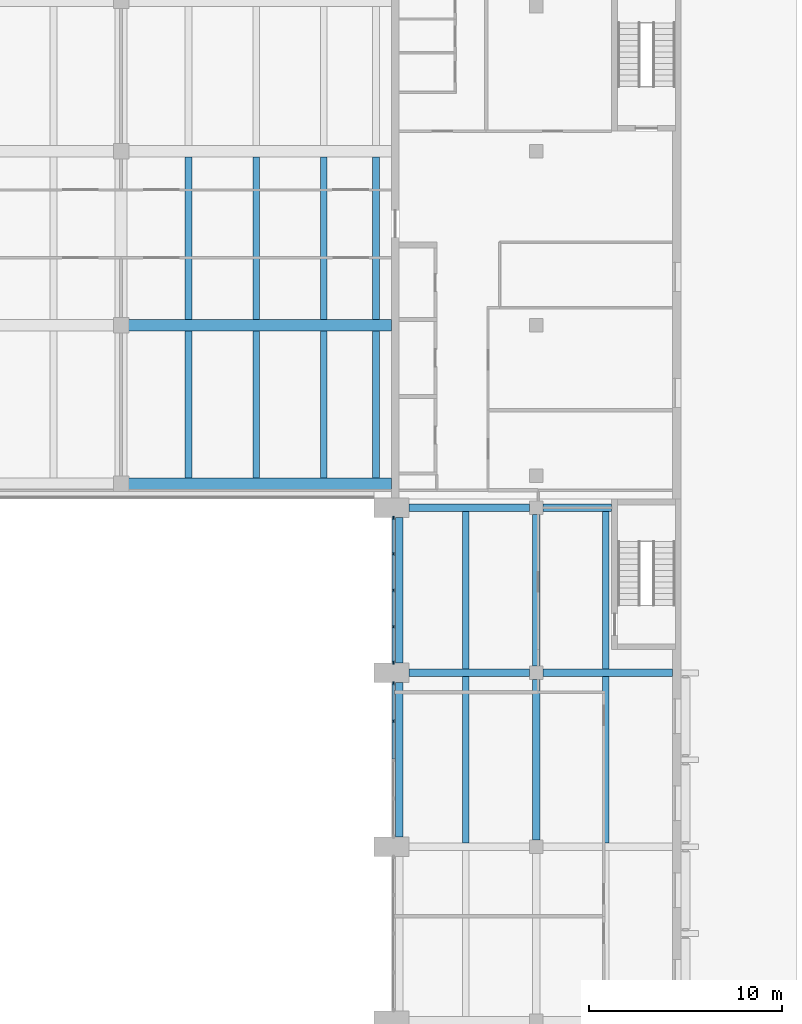
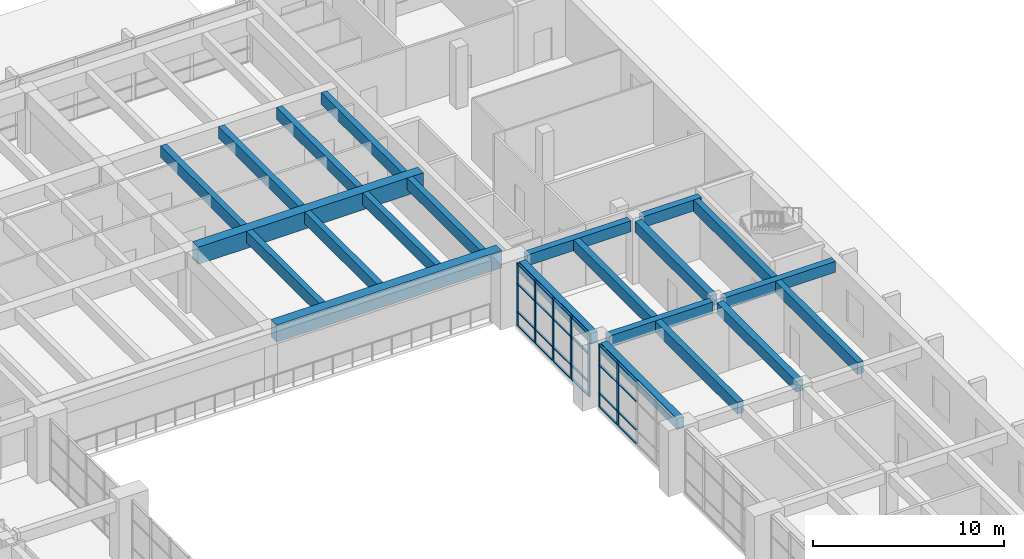
# One storey, part 13 of 45: 31 members, 22 beams, 2 elements without a shape of their own.
"""IFC4 building model written with IfcOpenShell, lengths in metres."""

from ifc_helpers import new_model, si_unit, direction, frame, origin, origin_2d, place, context, subcontext, project, spatial, rectangle, extrude, material, material_profile, profile_set, type_object, element, aggregate, save


model = new_model("IFC4")

# Units and contexts
model_context = context("Model", 3, precision=1e-05, world=origin(), true_north=direction((0.0, 1.0)))
body_context = subcontext(model_context, "Body", "Model", "MODEL_VIEW")
ifc_project = project(units=[si_unit("LENGTHUNIT", "METRE"), si_unit("AREAUNIT", "SQUARE_METRE"), si_unit("VOLUMEUNIT", "CUBIC_METRE"), si_unit("PLANEANGLEUNIT", "RADIAN"), si_unit("MASSUNIT", "GRAM", prefix="KILO")], contexts=[model_context])

# Site, building, storey
site_placement = place(None, origin())
site = spatial("IfcSite", under=ifc_project, at=site_placement, CompositionType="ELEMENT")
building_placement = place(site_placement, origin())
building = spatial("IfcBuilding", under=site, at=building_placement, Name="Elmora Arch Market Hall", CompositionType="ELEMENT")
storey_placement = place(building_placement, frame((0.0, 0.0, 6.0)))
storey = spatial("IfcBuildingStorey", under=building, at=storey_placement, Name="L01", CompositionType="ELEMENT", Elevation=6.0)

# Beams
ifc_material_1 = material(Name="Concrete C32/40", Category="concrete")
ifc_material_profile_1 = material_profile(ifc_material_1, rectangle(XDim=0.60009765625, YDim=1.10009765625, at=origin_2d()), Name="Bridge girder 600x1100")
ifc_profile_set_1 = profile_set([ifc_material_profile_1], Name="Concrete C32/40")
beam_type_1 = type_object("IfcBeamType", Name="Bridge girder 600x1100", PredefinedType="BEAM", material=ifc_profile_set_1)
for number, where, z_axis, x_axis, name in (
    (1, (29.39990234375, 99.800048828125, 3.35009765625), (1.0, 0.0, 0.0), (0.0, 1.0, 0.0), "Bridge girder NR1 L01.2"),
    (2, (29.39990234375, 108.0, 3.35009765625), (1.0, 0.0, 0.0), (0.0, 1.0, 0.0), "Bridge girder NR2 L01.2"),
):
    element("IfcBeam", number, at=place(storey_placement, frame(where, z_axis=z_axis, x_axis=x_axis)), inside=storey, type_object=beam_type_1, Name=name, PredefinedType="BEAM", context=body_context, shape_type="SweptSolid", body=[
        extrude(rectangle(XDim=0.60009765625, YDim=1.10009765625, at=origin_2d()), origin(), (0.0, 0.0, 1.0), 13.60009765625),
    ])
ifc_material_2 = material(Name="Concrete C32/40", Category="concrete")
ifc_material_profile_2 = material_profile(ifc_material_2, rectangle(XDim=0.35009765625, YDim=0.75, at=origin_2d()), Name="Bridge joist 350x750")
ifc_profile_set_2 = profile_set([ifc_material_profile_2], Name="Concrete C32/40")
beam_type_2 = type_object("IfcBeamType", Name="Bridge joist 350x750", PredefinedType="JOIST", material=ifc_profile_set_2)
beam_1_placement = place(storey_placement, frame((32.5, 100.10009765625, 3.52490234375), z_axis=(0.0, 1.0, 0.0), x_axis=(-1.0, 0.0, 0.0)))
element("IfcBeam", 3, at=beam_1_placement, inside=storey, type_object=beam_type_2, Name="Bridge joist NJ5 L01.1", PredefinedType="JOIST", context=body_context, shape_type="SweptSolid", body=[
    extrude(rectangle(XDim=0.35009765625, YDim=0.75, at=origin_2d()), origin(), (0.0, 0.0, 1.0), 7.599853515625),
])
beam_2_placement = place(storey_placement, frame((32.5, 108.300048828125, 3.52490234375), z_axis=(0.0, 1.0, 0.0), x_axis=(-1.0, 0.0, 0.0)))
element("IfcBeam", 4, at=beam_2_placement, inside=storey, type_object=beam_type_2, Name="Bridge joist NJ5 L01.2", PredefinedType="JOIST", context=body_context, shape_type="SweptSolid", body=[
    extrude(rectangle(XDim=0.35009765625, YDim=0.75, at=origin_2d()), origin(), (0.0, 0.0, 1.0), 8.39990234375),
])
beam_3_placement = place(storey_placement, frame((36.0, 100.10009765625, 3.52490234375), z_axis=(0.0, 1.0, 0.0), x_axis=(-1.0, 0.0, 0.0)))
element("IfcBeam", 5, at=beam_3_placement, inside=storey, type_object=beam_type_2, Name="Bridge joist NJ6 L01.1", PredefinedType="JOIST", context=body_context, shape_type="SweptSolid", body=[
    extrude(rectangle(XDim=0.35009765625, YDim=0.75, at=origin_2d()), origin(), (0.0, 0.0, 1.0), 7.599853515625),
])
beam_4_placement = place(storey_placement, frame((36.0, 108.300048828125, 3.52490234375), z_axis=(0.0, 1.0, 0.0), x_axis=(-1.0, 0.0, 0.0)))
element("IfcBeam", 6, at=beam_4_placement, inside=storey, type_object=beam_type_2, Name="Bridge joist NJ6 L01.2", PredefinedType="JOIST", context=body_context, shape_type="SweptSolid", body=[
    extrude(rectangle(XDim=0.35009765625, YDim=0.75, at=origin_2d()), origin(), (0.0, 0.0, 1.0), 8.39990234375),
])
beam_5_placement = place(storey_placement, frame((39.5, 100.10009765625, 3.52490234375), z_axis=(0.0, 1.0, 0.0), x_axis=(-1.0, 0.0, 0.0)))
element("IfcBeam", 7, at=beam_5_placement, inside=storey, type_object=beam_type_2, Name="Bridge joist NJ7 L01.1", PredefinedType="JOIST", context=body_context, shape_type="SweptSolid", body=[
    extrude(rectangle(XDim=0.35009765625, YDim=0.75, at=origin_2d()), origin(), (0.0, 0.0, 1.0), 7.599853515625),
])
beam_6_placement = place(storey_placement, frame((39.5, 108.300048828125, 3.52490234375), z_axis=(0.0, 1.0, 0.0), x_axis=(-1.0, 0.0, 0.0)))
element("IfcBeam", 8, at=beam_6_placement, inside=storey, type_object=beam_type_2, Name="Bridge joist NJ7 L01.2", PredefinedType="JOIST", context=body_context, shape_type="SweptSolid", body=[
    extrude(rectangle(XDim=0.35009765625, YDim=0.75, at=origin_2d()), origin(), (0.0, 0.0, 1.0), 8.39990234375),
])
beam_7_placement = place(storey_placement, frame((42.199951171875, 100.10009765625, 3.52490234375), z_axis=(0.0, 1.0, 0.0), x_axis=(-1.0, 0.0, 0.0)))
element("IfcBeam", 9, at=beam_7_placement, inside=storey, type_object=beam_type_2, Name="Bridge joist NJ8 L01.1", PredefinedType="JOIST", context=body_context, shape_type="SweptSolid", body=[
    extrude(rectangle(XDim=0.35009765625, YDim=0.75, at=origin_2d()), origin(), (0.0, 0.0, 1.0), 7.599853515625),
])
beam_8_placement = place(storey_placement, frame((42.199951171875, 108.300048828125, 3.52490234375), z_axis=(0.0, 1.0, 0.0), x_axis=(-1.0, 0.0, 0.0)))
element("IfcBeam", 10, at=beam_8_placement, inside=storey, type_object=beam_type_2, Name="Bridge joist NJ8 L01.2", PredefinedType="JOIST", context=body_context, shape_type="SweptSolid", body=[
    extrude(rectangle(XDim=0.35009765625, YDim=0.75, at=origin_2d()), origin(), (0.0, 0.0, 1.0), 8.39990234375),
])

# Curtain wall, members
ifc_material_3 = material(Name="Aluminium", Category="aluminium")
curtain_wall_type = type_object("IfcCurtainWallType", Name="Hall front curtain wall", PredefinedType="NOTDEFINED", material=ifc_material_3)
curtain_wall_1_placement = place(storey_placement, origin())
curtain_wall_1 = element("IfcCurtainWall", 11, at=curtain_wall_1_placement, inside=storey, type_object=curtain_wall_type, Name="Wing front E L01 7", PredefinedType="NOTDEFINED")
ifc_material_4 = material(Name="Aluminium", Category="aluminium")
ifc_material_profile_3 = material_profile(ifc_material_4, rectangle(XDim=0.080078125, YDim=0.179931640625, at=origin_2d()), Name="AL 80x180")
ifc_profile_set_3 = profile_set([ifc_material_profile_3], Name="Aluminium")
member_type_1 = type_object("IfcMemberType", Name="Mullion 80x180", PredefinedType="MULLION", material=ifc_profile_set_3)
member_1_placement = place(storey_placement, frame((43.10009765625, 87.5, 0.0), z_axis=(0.0, 0.0, 1.0), x_axis=(-1.0, 0.0, 0.0)))
member_1 = element("IfcMember", 12, at=member_1_placement, type_object=member_type_1, Name="CW2 mullion 4", PredefinedType="MULLION", context=body_context, shape_type="SweptSolid", body=[
    extrude(rectangle(XDim=0.080078125, YDim=0.179931640625, at=origin_2d()), origin(), (0.0, 0.0, 1.0), 4.0),
])
member_2_placement = place(storey_placement, frame((43.10009765625, 89.4599609375, 0.0), z_axis=(0.0, 0.0, 1.0), x_axis=(-1.0, 0.0, 0.0)))
member_2 = element("IfcMember", 13, at=member_2_placement, type_object=member_type_1, Name="CW2 mullion 5", PredefinedType="MULLION", context=body_context, shape_type="SweptSolid", body=[
    extrude(rectangle(XDim=0.080078125, YDim=0.179931640625, at=origin_2d()), origin(), (0.0, 0.0, 1.0), 4.0),
])

curtain_wall_2_placement = place(storey_placement, origin())
curtain_wall_2 = element("IfcCurtainWall", 14, at=curtain_wall_2_placement, inside=storey, type_object=curtain_wall_type, Name="Wing front E L01 8", PredefinedType="NOTDEFINED")
member_3_placement = place(storey_placement, frame((43.10009765625, 90.5400390625, 0.0), z_axis=(0.0, 0.0, 1.0), x_axis=(-1.0, 0.0, 0.0)))
member_3 = element("IfcMember", 15, at=member_3_placement, type_object=member_type_1, Name="CW2 mullion 1", PredefinedType="MULLION", context=body_context, shape_type="SweptSolid", body=[
    extrude(rectangle(XDim=0.080078125, YDim=0.179931640625, at=origin_2d()), origin(), (0.0, 0.0, 1.0), 4.0),
])
member_4_placement = place(storey_placement, frame((43.10009765625, 92.387451171875, 0.0), z_axis=(0.0, 0.0, 1.0), x_axis=(-1.0, 0.0, 0.0)))
member_4 = element("IfcMember", 16, at=member_4_placement, type_object=member_type_1, Name="CW2 mullion 2", PredefinedType="MULLION", context=body_context, shape_type="SweptSolid", body=[
    extrude(rectangle(XDim=0.080078125, YDim=0.179931640625, at=origin_2d()), origin(), (0.0, 0.0, 1.0), 4.0),
])
member_5_placement = place(storey_placement, frame((43.10009765625, 94.27490234375, 0.0), z_axis=(0.0, 0.0, 1.0), x_axis=(-1.0, 0.0, 0.0)))
member_5 = element("IfcMember", 17, at=member_5_placement, type_object=member_type_1, Name="CW2 mullion 3", PredefinedType="MULLION", context=body_context, shape_type="SweptSolid", body=[
    extrude(rectangle(XDim=0.080078125, YDim=0.179931640625, at=origin_2d()), origin(), (0.0, 0.0, 1.0), 4.0),
])
member_6_placement = place(storey_placement, frame((43.10009765625, 96.16259765625, 0.0), z_axis=(0.0, 0.0, 1.0), x_axis=(-1.0, 0.0, 0.0)))
member_6 = element("IfcMember", 18, at=member_6_placement, type_object=member_type_1, Name="CW2 mullion 4", PredefinedType="MULLION", context=body_context, shape_type="SweptSolid", body=[
    extrude(rectangle(XDim=0.080078125, YDim=0.179931640625, at=origin_2d()), origin(), (0.0, 0.0, 1.0), 4.0),
])
member_7_placement = place(storey_placement, frame((43.10009765625, 98.010009765625, 0.0), z_axis=(0.0, 0.0, 1.0), x_axis=(-1.0, 0.0, 0.0)))
member_7 = element("IfcMember", 19, at=member_7_placement, type_object=member_type_1, Name="CW2 mullion 5", PredefinedType="MULLION", context=body_context, shape_type="SweptSolid", body=[
    extrude(rectangle(XDim=0.080078125, YDim=0.179931640625, at=origin_2d()), origin(), (0.0, 0.0, 1.0), 4.0),
])

# Member
ifc_material_5 = material(Name="Aluminium", Category="aluminium")
ifc_material_profile_4 = material_profile(ifc_material_5, rectangle(XDim=0.1201171875, YDim=0.06005859375, at=origin_2d()), Name="AL 120x60")
ifc_profile_set_4 = profile_set([ifc_material_profile_4], Name="Aluminium")
member_type_2 = type_object("IfcMemberType", Name="Transom 120x60", PredefinedType="USERDEFINED", material=ifc_profile_set_4)
member_8_placement = place(storey_placement, frame((43.10009765625, 85.5400390625, 0.030029296875), z_axis=(0.0, 1.0, 0.0), x_axis=(-1.0, 0.0, 0.0)))
member_8 = element("IfcMember", 20, at=member_8_placement, type_object=member_type_2, Name="CW2 transom 3.1", ObjectType="TRANSOM", PredefinedType="USERDEFINED", context=body_context, shape_type="SweptSolid", body=[
    extrude(rectangle(XDim=0.1201171875, YDim=0.06005859375, at=origin_2d()), origin(), (0.0, 0.0, 1.0), 1.919921875),
])

member_9_placement = place(storey_placement, frame((43.10009765625, 85.5400390625, 0.89990234375), z_axis=(0.0, 1.0, 0.0), x_axis=(-1.0, 0.0, 0.0)))
member_9 = element("IfcMember", 21, at=member_9_placement, type_object=member_type_2, Name="CW2 transom 3.2", ObjectType="TRANSOM", PredefinedType="USERDEFINED", context=body_context, shape_type="SweptSolid", body=[
    extrude(rectangle(XDim=0.1201171875, YDim=0.06005859375, at=origin_2d()), origin(), (0.0, 0.0, 1.0), 1.919921875),
])

member_10_placement = place(storey_placement, frame((43.10009765625, 85.5400390625, 2.699951171875), z_axis=(0.0, 1.0, 0.0), x_axis=(-1.0, 0.0, 0.0)))
member_10 = element("IfcMember", 22, at=member_10_placement, type_object=member_type_2, Name="CW2 transom 3.3", ObjectType="TRANSOM", PredefinedType="USERDEFINED", context=body_context, shape_type="SweptSolid", body=[
    extrude(rectangle(XDim=0.1201171875, YDim=0.06005859375, at=origin_2d()), origin(), (0.0, 0.0, 1.0), 1.919921875),
])

member_11_placement = place(storey_placement, frame((43.10009765625, 85.5400390625, 3.969970703125), z_axis=(0.0, 1.0, 0.0), x_axis=(-1.0, 0.0, 0.0)))
member_11 = element("IfcMember", 23, at=member_11_placement, type_object=member_type_2, Name="CW2 transom 3.4", ObjectType="TRANSOM", PredefinedType="USERDEFINED", context=body_context, shape_type="SweptSolid", body=[
    extrude(rectangle(XDim=0.1201171875, YDim=0.06005859375, at=origin_2d()), origin(), (0.0, 0.0, 1.0), 1.919921875),
])

member_12_placement = place(storey_placement, frame((43.10009765625, 87.5400390625, 0.030029296875), z_axis=(0.0, 1.0, 0.0), x_axis=(-1.0, 0.0, 0.0)))
member_12 = element("IfcMember", 24, at=member_12_placement, type_object=member_type_2, Name="CW2 transom 4.1", ObjectType="TRANSOM", PredefinedType="USERDEFINED", context=body_context, shape_type="SweptSolid", body=[
    extrude(rectangle(XDim=0.1201171875, YDim=0.06005859375, at=origin_2d()), origin(), (0.0, 0.0, 1.0), 1.8798828125),
])

member_13_placement = place(storey_placement, frame((43.10009765625, 87.5400390625, 0.89990234375), z_axis=(0.0, 1.0, 0.0), x_axis=(-1.0, 0.0, 0.0)))
member_13 = element("IfcMember", 25, at=member_13_placement, type_object=member_type_2, Name="CW2 transom 4.2", ObjectType="TRANSOM", PredefinedType="USERDEFINED", context=body_context, shape_type="SweptSolid", body=[
    extrude(rectangle(XDim=0.1201171875, YDim=0.06005859375, at=origin_2d()), origin(), (0.0, 0.0, 1.0), 1.8798828125),
])

member_14_placement = place(storey_placement, frame((43.10009765625, 87.5400390625, 2.699951171875), z_axis=(0.0, 1.0, 0.0), x_axis=(-1.0, 0.0, 0.0)))
member_14 = element("IfcMember", 26, at=member_14_placement, type_object=member_type_2, Name="CW2 transom 4.3", ObjectType="TRANSOM", PredefinedType="USERDEFINED", context=body_context, shape_type="SweptSolid", body=[
    extrude(rectangle(XDim=0.1201171875, YDim=0.06005859375, at=origin_2d()), origin(), (0.0, 0.0, 1.0), 1.8798828125),
])

member_15_placement = place(storey_placement, frame((43.10009765625, 87.5400390625, 3.969970703125), z_axis=(0.0, 1.0, 0.0), x_axis=(-1.0, 0.0, 0.0)))
member_15 = element("IfcMember", 27, at=member_15_placement, type_object=member_type_2, Name="CW2 transom 4.4", ObjectType="TRANSOM", PredefinedType="USERDEFINED", context=body_context, shape_type="SweptSolid", body=[
    extrude(rectangle(XDim=0.1201171875, YDim=0.06005859375, at=origin_2d()), origin(), (0.0, 0.0, 1.0), 1.8798828125),
])

aggregate(curtain_wall_1, [member_1, member_2, member_8, member_9, member_10, member_11, member_12, member_13, member_14, member_15])

member_16_placement = place(storey_placement, frame((43.10009765625, 90.580078125, 0.030029296875), z_axis=(0.0, 1.0, 0.0), x_axis=(-1.0, 0.0, 0.0)))
member_16 = element("IfcMember", 28, at=member_16_placement, type_object=member_type_2, Name="CW2 transom 1.1", ObjectType="TRANSOM", PredefinedType="USERDEFINED", context=body_context, shape_type="SweptSolid", body=[
    extrude(rectangle(XDim=0.1201171875, YDim=0.06005859375, at=origin_2d()), origin(), (0.0, 0.0, 1.0), 1.767333984375),
])

member_17_placement = place(storey_placement, frame((43.10009765625, 90.580078125, 0.89990234375), z_axis=(0.0, 1.0, 0.0), x_axis=(-1.0, 0.0, 0.0)))
member_17 = element("IfcMember", 29, at=member_17_placement, type_object=member_type_2, Name="CW2 transom 1.2", ObjectType="TRANSOM", PredefinedType="USERDEFINED", context=body_context, shape_type="SweptSolid", body=[
    extrude(rectangle(XDim=0.1201171875, YDim=0.06005859375, at=origin_2d()), origin(), (0.0, 0.0, 1.0), 1.767333984375),
])

member_18_placement = place(storey_placement, frame((43.10009765625, 90.580078125, 2.699951171875), z_axis=(0.0, 1.0, 0.0), x_axis=(-1.0, 0.0, 0.0)))
member_18 = element("IfcMember", 30, at=member_18_placement, type_object=member_type_2, Name="CW2 transom 1.3", ObjectType="TRANSOM", PredefinedType="USERDEFINED", context=body_context, shape_type="SweptSolid", body=[
    extrude(rectangle(XDim=0.1201171875, YDim=0.06005859375, at=origin_2d()), origin(), (0.0, 0.0, 1.0), 1.767333984375),
])

member_19_placement = place(storey_placement, frame((43.10009765625, 90.580078125, 3.969970703125), z_axis=(0.0, 1.0, 0.0), x_axis=(-1.0, 0.0, 0.0)))
member_19 = element("IfcMember", 31, at=member_19_placement, type_object=member_type_2, Name="CW2 transom 1.4", ObjectType="TRANSOM", PredefinedType="USERDEFINED", context=body_context, shape_type="SweptSolid", body=[
    extrude(rectangle(XDim=0.1201171875, YDim=0.06005859375, at=origin_2d()), origin(), (0.0, 0.0, 1.0), 1.767333984375),
])

member_20_placement = place(storey_placement, frame((43.10009765625, 92.427490234375, 0.030029296875), z_axis=(0.0, 1.0, 0.0), x_axis=(-1.0, 0.0, 0.0)))
member_20 = element("IfcMember", 32, at=member_20_placement, type_object=member_type_2, Name="CW2 transom 2.1", ObjectType="TRANSOM", PredefinedType="USERDEFINED", context=body_context, shape_type="SweptSolid", body=[
    extrude(rectangle(XDim=0.1201171875, YDim=0.06005859375, at=origin_2d()), origin(), (0.0, 0.0, 1.0), 1.8076171875),
])

member_21_placement = place(storey_placement, frame((43.10009765625, 92.427490234375, 0.89990234375), z_axis=(0.0, 1.0, 0.0), x_axis=(-1.0, 0.0, 0.0)))
member_21 = element("IfcMember", 33, at=member_21_placement, type_object=member_type_2, Name="CW2 transom 2.2", ObjectType="TRANSOM", PredefinedType="USERDEFINED", context=body_context, shape_type="SweptSolid", body=[
    extrude(rectangle(XDim=0.1201171875, YDim=0.06005859375, at=origin_2d()), origin(), (0.0, 0.0, 1.0), 1.8076171875),
])

member_22_placement = place(storey_placement, frame((43.10009765625, 92.427490234375, 2.699951171875), z_axis=(0.0, 1.0, 0.0), x_axis=(-1.0, 0.0, 0.0)))
member_22 = element("IfcMember", 34, at=member_22_placement, type_object=member_type_2, Name="CW2 transom 2.3", ObjectType="TRANSOM", PredefinedType="USERDEFINED", context=body_context, shape_type="SweptSolid", body=[
    extrude(rectangle(XDim=0.1201171875, YDim=0.06005859375, at=origin_2d()), origin(), (0.0, 0.0, 1.0), 1.8076171875),
])

member_23_placement = place(storey_placement, frame((43.10009765625, 92.427490234375, 3.969970703125), z_axis=(0.0, 1.0, 0.0), x_axis=(-1.0, 0.0, 0.0)))
member_23 = element("IfcMember", 35, at=member_23_placement, type_object=member_type_2, Name="CW2 transom 2.4", ObjectType="TRANSOM", PredefinedType="USERDEFINED", context=body_context, shape_type="SweptSolid", body=[
    extrude(rectangle(XDim=0.1201171875, YDim=0.06005859375, at=origin_2d()), origin(), (0.0, 0.0, 1.0), 1.8076171875),
])

member_24_placement = place(storey_placement, frame((43.10009765625, 94.31494140625, 0.030029296875), z_axis=(0.0, 1.0, 0.0), x_axis=(-1.0, 0.0, 0.0)))
member_24 = element("IfcMember", 36, at=member_24_placement, type_object=member_type_2, Name="CW2 transom 3.1", ObjectType="TRANSOM", PredefinedType="USERDEFINED", context=body_context, shape_type="SweptSolid", body=[
    extrude(rectangle(XDim=0.1201171875, YDim=0.06005859375, at=origin_2d()), origin(), (0.0, 0.0, 1.0), 1.8076171875),
])

member_25_placement = place(storey_placement, frame((43.10009765625, 94.31494140625, 0.89990234375), z_axis=(0.0, 1.0, 0.0), x_axis=(-1.0, 0.0, 0.0)))
member_25 = element("IfcMember", 37, at=member_25_placement, type_object=member_type_2, Name="CW2 transom 3.2", ObjectType="TRANSOM", PredefinedType="USERDEFINED", context=body_context, shape_type="SweptSolid", body=[
    extrude(rectangle(XDim=0.1201171875, YDim=0.06005859375, at=origin_2d()), origin(), (0.0, 0.0, 1.0), 1.8076171875),
])

member_26_placement = place(storey_placement, frame((43.10009765625, 94.31494140625, 2.699951171875), z_axis=(0.0, 1.0, 0.0), x_axis=(-1.0, 0.0, 0.0)))
member_26 = element("IfcMember", 38, at=member_26_placement, type_object=member_type_2, Name="CW2 transom 3.3", ObjectType="TRANSOM", PredefinedType="USERDEFINED", context=body_context, shape_type="SweptSolid", body=[
    extrude(rectangle(XDim=0.1201171875, YDim=0.06005859375, at=origin_2d()), origin(), (0.0, 0.0, 1.0), 1.8076171875),
])

member_27_placement = place(storey_placement, frame((43.10009765625, 94.31494140625, 3.969970703125), z_axis=(0.0, 1.0, 0.0), x_axis=(-1.0, 0.0, 0.0)))
member_27 = element("IfcMember", 39, at=member_27_placement, type_object=member_type_2, Name="CW2 transom 3.4", ObjectType="TRANSOM", PredefinedType="USERDEFINED", context=body_context, shape_type="SweptSolid", body=[
    extrude(rectangle(XDim=0.1201171875, YDim=0.06005859375, at=origin_2d()), origin(), (0.0, 0.0, 1.0), 1.8076171875),
])

member_28_placement = place(storey_placement, frame((43.10009765625, 96.202392578125, 0.030029296875), z_axis=(0.0, 1.0, 0.0), x_axis=(-1.0, 0.0, 0.0)))
member_28 = element("IfcMember", 40, at=member_28_placement, type_object=member_type_2, Name="CW2 transom 4.1", ObjectType="TRANSOM", PredefinedType="USERDEFINED", context=body_context, shape_type="SweptSolid", body=[
    extrude(rectangle(XDim=0.1201171875, YDim=0.06005859375, at=origin_2d()), origin(), (0.0, 0.0, 1.0), 1.767578125),
])

member_29_placement = place(storey_placement, frame((43.10009765625, 96.202392578125, 0.89990234375), z_axis=(0.0, 1.0, 0.0), x_axis=(-1.0, 0.0, 0.0)))
member_29 = element("IfcMember", 41, at=member_29_placement, type_object=member_type_2, Name="CW2 transom 4.2", ObjectType="TRANSOM", PredefinedType="USERDEFINED", context=body_context, shape_type="SweptSolid", body=[
    extrude(rectangle(XDim=0.1201171875, YDim=0.06005859375, at=origin_2d()), origin(), (0.0, 0.0, 1.0), 1.767578125),
])

member_30_placement = place(storey_placement, frame((43.10009765625, 96.202392578125, 2.699951171875), z_axis=(0.0, 1.0, 0.0), x_axis=(-1.0, 0.0, 0.0)))
member_30 = element("IfcMember", 42, at=member_30_placement, type_object=member_type_2, Name="CW2 transom 4.3", ObjectType="TRANSOM", PredefinedType="USERDEFINED", context=body_context, shape_type="SweptSolid", body=[
    extrude(rectangle(XDim=0.1201171875, YDim=0.06005859375, at=origin_2d()), origin(), (0.0, 0.0, 1.0), 1.767578125),
])

member_31_placement = place(storey_placement, frame((43.10009765625, 96.202392578125, 3.969970703125), z_axis=(0.0, 1.0, 0.0), x_axis=(-1.0, 0.0, 0.0)))
member_31 = element("IfcMember", 43, at=member_31_placement, type_object=member_type_2, Name="CW2 transom 4.4", ObjectType="TRANSOM", PredefinedType="USERDEFINED", context=body_context, shape_type="SweptSolid", body=[
    extrude(rectangle(XDim=0.1201171875, YDim=0.06005859375, at=origin_2d()), origin(), (0.0, 0.0, 1.0), 1.767578125),
])

aggregate(curtain_wall_2, [member_3, member_4, member_5, member_6, member_7, member_16, member_17, member_18, member_19, member_20, member_21, member_22, member_23, member_24, member_25, member_26, member_27, member_28, member_29, member_30, member_31])

# Beams
ifc_material_6 = material(Name="Concrete C32/40", Category="concrete")
ifc_material_profile_5 = material_profile(ifc_material_6, rectangle(XDim=0.39990234375, YDim=0.699951171875, at=origin_2d()), Name="Wing beam 400x700")
ifc_profile_set_5 = profile_set([ifc_material_profile_5], Name="Concrete C32/40")
beam_type_3 = type_object("IfcBeamType", Name="Wing beam 400x700", PredefinedType="BEAM", material=ifc_profile_set_5)
beam_9_placement = place(storey_placement, frame((43.89990234375, 90.0, 3.64990234375), z_axis=(1.0, 0.0, 0.0), x_axis=(0.0, 1.0, 0.0)))
element("IfcBeam", 44, at=beam_9_placement, inside=storey, type_object=beam_type_3, Name="Wing beam ER8 L01.1", PredefinedType="BEAM", context=body_context, shape_type="SweptSolid", body=[
    extrude(rectangle(XDim=0.39990234375, YDim=0.699951171875, at=origin_2d()), origin(), (0.0, 0.0, 1.0), 6.25),
])
beam_10_placement = place(storey_placement, frame((50.85009765625, 90.0, 3.64990234375), z_axis=(1.0, 0.0, 0.0), x_axis=(0.0, 1.0, 0.0)))
element("IfcBeam", 45, at=beam_10_placement, inside=storey, type_object=beam_type_3, Name="Wing beam ER8 L01.2", PredefinedType="BEAM", context=body_context, shape_type="SweptSolid", body=[
    extrude(rectangle(XDim=0.39990234375, YDim=0.699951171875, at=origin_2d()), origin(), (0.0, 0.0, 1.0), 6.699951171875),
])
beam_11_placement = place(storey_placement, frame((43.89990234375, 98.550048828125, 3.64990234375), z_axis=(1.0, 0.0, 0.0), x_axis=(0.0, 1.0, 0.0)))
element("IfcBeam", 46, at=beam_11_placement, inside=storey, type_object=beam_type_3, Name="Wing beam ER9 L01.1", PredefinedType="BEAM", context=body_context, shape_type="SweptSolid", body=[
    extrude(rectangle(XDim=0.39990234375, YDim=0.699951171875, at=origin_2d()), origin(), (0.0, 0.0, 1.0), 6.25),
])
beam_12_placement = place(storey_placement, frame((50.85009765625, 98.550048828125, 3.64990234375), z_axis=(1.0, 0.0, 0.0), x_axis=(0.0, 1.0, 0.0)))
element("IfcBeam", 47, at=beam_12_placement, inside=storey, type_object=beam_type_3, Name="Wing beam ER9 L01.2", PredefinedType="BEAM", context=body_context, shape_type="SweptSolid", body=[
    extrude(rectangle(XDim=0.39990234375, YDim=0.699951171875, at=origin_2d()), origin(), (0.0, 0.0, 1.0), 3.5498046875),
])
beam_13_placement = place(storey_placement, frame((50.5, 81.35009765625, 3.64990234375), z_axis=(0.0, 1.0, 0.0), x_axis=(-1.0, 0.0, 0.0)))
element("IfcBeam", 48, at=beam_13_placement, inside=storey, type_object=beam_type_3, Name="Wing beam EG L01.7", PredefinedType="BEAM", context=body_context, shape_type="SweptSolid", body=[
    extrude(rectangle(XDim=0.39990234375, YDim=0.699951171875, at=origin_2d()), origin(), (0.0, 0.0, 1.0), 8.2998046875),
])
beam_14_placement = place(storey_placement, frame((50.5, 90.35009765625, 3.64990234375), z_axis=(0.0, 1.0, 0.0), x_axis=(-1.0, 0.0, 0.0)))
element("IfcBeam", 49, at=beam_14_placement, inside=storey, type_object=beam_type_3, Name="Wing beam EG L01.8", PredefinedType="BEAM", context=body_context, shape_type="SweptSolid", body=[
    extrude(rectangle(XDim=0.39990234375, YDim=0.699951171875, at=origin_2d()), origin(), (0.0, 0.0, 1.0), 7.849853515625),
])
beam_15_placement = place(storey_placement, frame((43.39990234375, 81.5, 3.64990234375), z_axis=(0.0, 1.0, 0.0), x_axis=(-1.0, 0.0, 0.0)))
element("IfcBeam", 50, at=beam_15_placement, inside=storey, type_object=beam_type_3, Name="Wing beam EEB L01.7", PredefinedType="BEAM", context=body_context, shape_type="SweptSolid", body=[
    extrude(rectangle(XDim=0.39990234375, YDim=0.699951171875, at=origin_2d()), origin(), (0.0, 0.0, 1.0), 8.0),
])
beam_16_placement = place(storey_placement, frame((43.39990234375, 90.5, 3.64990234375), z_axis=(0.0, 1.0, 0.0), x_axis=(-1.0, 0.0, 0.0)))
element("IfcBeam", 51, at=beam_16_placement, inside=storey, type_object=beam_type_3, Name="Wing beam EEB L01.8", PredefinedType="BEAM", context=body_context, shape_type="SweptSolid", body=[
    extrude(rectangle(XDim=0.39990234375, YDim=0.699951171875, at=origin_2d()), origin(), (0.0, 0.0, 1.0), 7.550048828125),
])
ifc_material_7 = material(Name="Concrete C32/40", Category="concrete")
ifc_material_profile_6 = material_profile(ifc_material_7, rectangle(XDim=0.35009765625, YDim=0.75, at=origin_2d()), Name="Wing joist 350x750")
ifc_profile_set_6 = profile_set([ifc_material_profile_6], Name="Concrete C32/40")
beam_type_4 = type_object("IfcBeamType", Name="Wing joist 350x750", PredefinedType="JOIST", material=ifc_profile_set_6)
beam_17_placement = place(storey_placement, frame((46.85009765625, 81.199951171875, 3.625), z_axis=(0.0, 1.0, 0.0), x_axis=(-1.0, 0.0, 0.0)))
element("IfcBeam", 52, at=beam_17_placement, inside=storey, type_object=beam_type_4, Name="Wing joist EJ1 L01.7", PredefinedType="JOIST", context=body_context, shape_type="SweptSolid", body=[
    extrude(rectangle(XDim=0.35009765625, YDim=0.75, at=origin_2d()), origin(), (0.0, 0.0, 1.0), 8.60009765625),
])
beam_18_placement = place(storey_placement, frame((46.85009765625, 90.199951171875, 3.625), z_axis=(0.0, 1.0, 0.0), x_axis=(-1.0, 0.0, 0.0)))
element("IfcBeam", 53, at=beam_18_placement, inside=storey, type_object=beam_type_4, Name="Wing joist EJ1 L01.8", PredefinedType="JOIST", context=body_context, shape_type="SweptSolid", body=[
    extrude(rectangle(XDim=0.35009765625, YDim=0.75, at=origin_2d()), origin(), (0.0, 0.0, 1.0), 8.150146484375),
])
beam_19_placement = place(storey_placement, frame((54.10009765625, 81.199951171875, 3.625), z_axis=(0.0, 1.0, 0.0), x_axis=(-1.0, 0.0, 0.0)))
element("IfcBeam", 54, at=beam_19_placement, inside=storey, type_object=beam_type_4, Name="Wing joist EJ2 L01.7", PredefinedType="JOIST", context=body_context, shape_type="SweptSolid", body=[
    extrude(rectangle(XDim=0.35009765625, YDim=0.75, at=origin_2d()), origin(), (0.0, 0.0, 1.0), 8.60009765625),
])
beam_20_placement = place(storey_placement, frame((54.10009765625, 90.199951171875, 3.625), z_axis=(0.0, 1.0, 0.0), x_axis=(-1.0, 0.0, 0.0)))
element("IfcBeam", 55, at=beam_20_placement, inside=storey, type_object=beam_type_4, Name="Wing joist EJ2 L01.8", PredefinedType="JOIST", context=body_context, shape_type="SweptSolid", body=[
    extrude(rectangle(XDim=0.35009765625, YDim=0.75, at=origin_2d()), origin(), (0.0, 0.0, 1.0), 8.150146484375),
])

save(model, "model.ifc")
